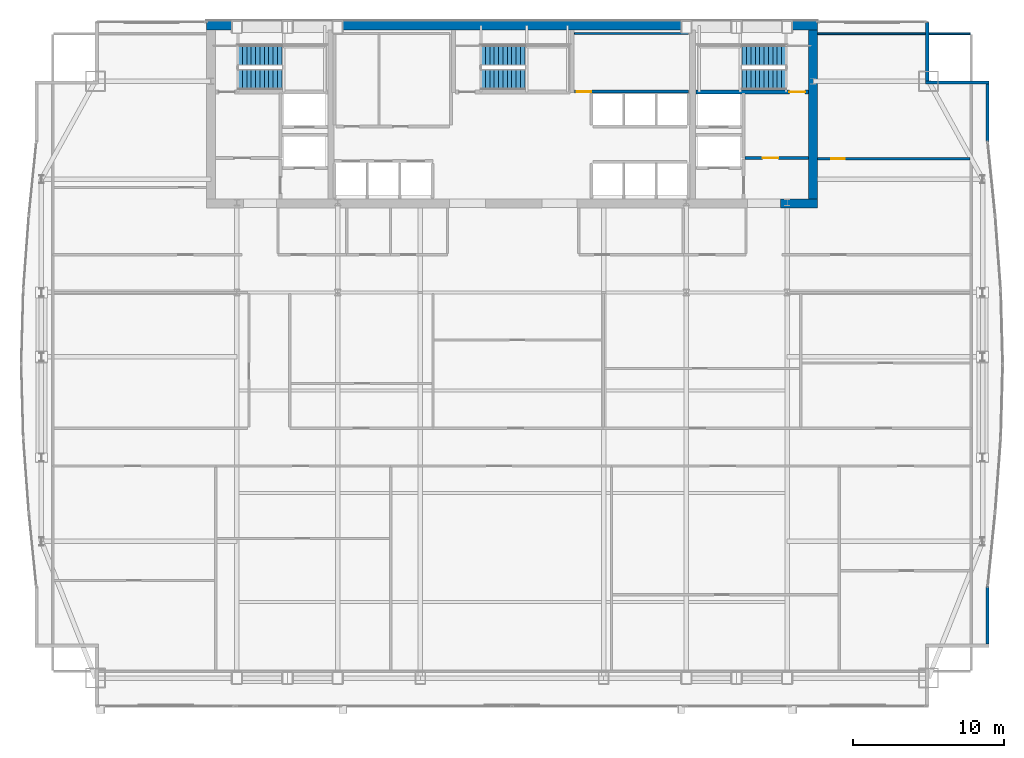
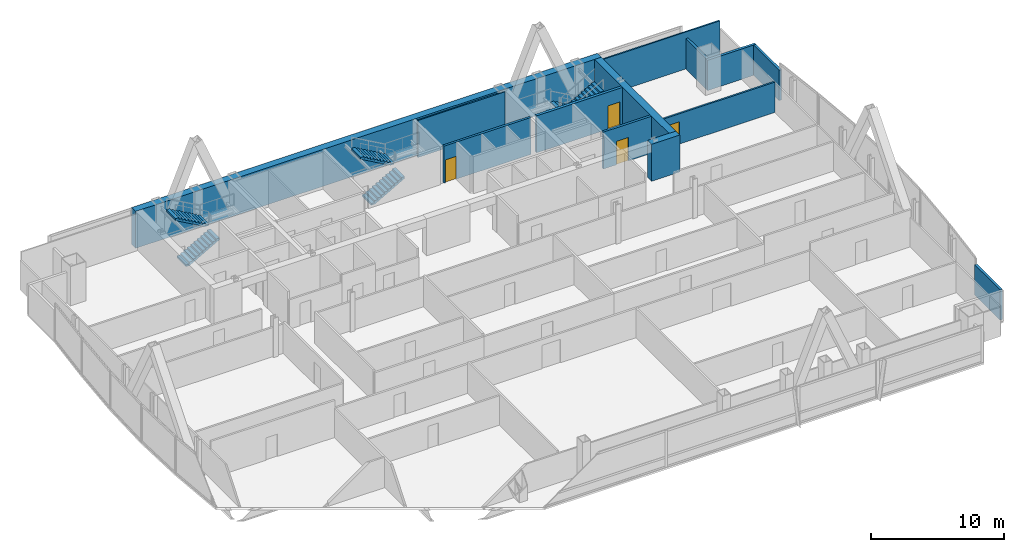
# One storey, part 27 of 29: 13 walls, 6 stair flights, 4 doors, 4 openings, 3 elements without a shape of their own.
"""IFC4 building model written with IfcOpenShell, lengths in metres."""

from ifc_helpers import new_model, si_unit, direction, frame, frame_2d, origin, place, context, subcontext, project, spatial, polyline, rectangle, outline, extrude, material, layer, layer_set, type_object, element, fill, aggregate, save


model = new_model("IFC4")

# Units and contexts
model_context = context("Model", 3, precision=1e-05, world=origin(), true_north=direction((0.0, 1.0)))
body_context = subcontext(model_context, "Body", "Model", "MODEL_VIEW")
ifc_project = project(units=[si_unit("LENGTHUNIT", "METRE"), si_unit("AREAUNIT", "SQUARE_METRE"), si_unit("VOLUMEUNIT", "CUBIC_METRE"), si_unit("PLANEANGLEUNIT", "RADIAN"), si_unit("MASSUNIT", "GRAM", prefix="KILO")], contexts=[model_context])

# Site, building, storey
site_placement = place(None, origin())
site = spatial("IfcSite", under=ifc_project, at=site_placement, CompositionType="ELEMENT")
building_placement = place(site_placement, origin())
building = spatial("IfcBuilding", under=site, at=building_placement, Name="Khoronbel Lancet Exchange", CompositionType="ELEMENT")
storey_placement = place(building_placement, frame((0.0, 0.0, 180.60009765625)))
storey = spatial("IfcBuildingStorey", under=building, at=storey_placement, Name="L45", CompositionType="ELEMENT", Elevation=180.60009765625)

# Walls
ifc_material_1 = material(Name="Concrete C60/75", Category="concrete")
ifc_layer_1 = layer(ifc_material_1, 0.60009765625, Name="Concrete C60/75")
ifc_layer_set_1 = layer_set([ifc_layer_1], Name="Concrete C60/75")
wall_type_1 = type_object("IfcWallType", Name="WL-CW3", PredefinedType="SHEAR", material=ifc_layer_set_1)
wall_1_placement = place(storey_placement, frame((16.199951171875, 53.39990234375, 0.0), z_axis=(0.0, 0.0, 1.0), x_axis=(1.0, 0.0, 0.0)))
element("IfcWall", 1, at=wall_1_placement, inside=storey, type_object=wall_type_1, Name="Level L45 rear core north shear wall", PredefinedType="SHEAR", context=body_context, shape_type="SweptSolid", body=[
    extrude(rectangle(XDim=40.5, YDim=0.60009765625, at=frame_2d((20.25, 0.0))), origin(), (0.0, 0.0, 1.0), 3.39990234375),
])
wall_2_placement = place(storey_placement, frame((56.39990234375, 53.10009765625, 0.0), z_axis=(0.0, 0.0, 1.0), x_axis=(0.0, -1.0, 0.0)))
element("IfcWall", 2, at=wall_2_placement, inside=storey, type_object=wall_type_1, Name="Level L45 rear core east shear wall", PredefinedType="SHEAR", context=body_context, shape_type="SweptSolid", body=[
    extrude(rectangle(XDim=11.2001953125, YDim=0.60009765625, at=frame_2d((5.60009765625, 0.0))), origin(), (0.0, 0.0, 1.0), 3.39990234375),
])
wall_3_placement = place(storey_placement, frame((56.699951171875, 41.60009765625, 0.0), z_axis=(0.0, 0.0, 1.0), x_axis=(-1.0, 0.0, 0.0)))
element("IfcWall", 3, at=wall_3_placement, inside=storey, type_object=wall_type_1, Name="Level L45 rear core south shear wall pier P5", PredefinedType="SHEAR", context=body_context, shape_type="SweptSolid", body=[
    extrude(rectangle(XDim=2.449951171875, YDim=0.60009765625, at=frame_2d((1.22509765625, 0.0))), origin(), (0.0, 0.0, 1.0), 3.39990234375),
])
ifc_material_2 = material(Name="Precast concrete C40/50", Category="concrete")
ifc_layer_2 = layer(ifc_material_2, 0.25, Name="Precast concrete C40/50")
ifc_layer_set_2 = layer_set([ifc_layer_2], Name="Precast concrete C40/50")
wall_type_2 = type_object("IfcWallType", Name="WL-EXT250", PredefinedType="SOLIDWALL", material=ifc_layer_set_2)
wall_4_placement = place(storey_placement, frame((63.9599609375, 53.6298828125, 0.0), z_axis=(0.0, 0.0, 1.0), x_axis=(0.0, -1.0, 0.0)))
element("IfcWall", 4, at=wall_4_placement, inside=storey, type_object=wall_type_2, Name="Level L45 notched-corner limestone pier 14", PredefinedType="SOLIDWALL", context=body_context, shape_type="SweptSolid", body=[
    extrude(rectangle(XDim=3.909912109375, YDim=0.219970703125, at=frame_2d((1.955078125, 0.0))), origin(), (0.0, 0.0, 1.0), 2.789794921875),
])
wall_5_placement = place(storey_placement, frame((63.85009765625, 49.610107421875, 0.0), z_axis=(0.0, 0.0, 1.0), x_axis=(1.0, 0.0, 0.0)))
element("IfcWall", 5, at=wall_5_placement, inside=storey, type_object=wall_type_2, Name="Level L45 notched-corner limestone pier 15", PredefinedType="SOLIDWALL", context=body_context, shape_type="SweptSolid", body=[
    extrude(rectangle(XDim=4.219970703125, YDim=0.219970703125, at=frame_2d((2.10986328125, 0.0))), origin(), (0.0, 0.0, 1.0), 2.789794921875),
])
for number, where, z_axis, x_axis, name in (
    (6, (67.9599609375, 49.5, 0.0), (0.0, 0.0, 1.0), (0.0, -1.0, 0.0), "Level L45 notched-corner limestone pier 16"),
    (7, (67.9599609375, 16.224609375, 0.0), (0.0, 0.0, 1.0), (0.0, -1.0, 0.0), "Level L45 notched-corner limestone pier 23"),
):
    element("IfcWall", number, at=place(storey_placement, frame(where, z_axis=z_axis, x_axis=x_axis)), inside=storey, type_object=wall_type_2, Name=name, PredefinedType="SOLIDWALL", context=body_context, shape_type="SweptSolid", body=[
        extrude(rectangle(XDim=3.82470703125, YDim=0.219970703125, at=frame_2d((1.912353515625, 0.0))), origin(), (0.0, 0.0, 1.0), 2.789794921875),
    ])

# Wall, opening, door
ifc_material_3 = material(Name="Acoustic Metal-Stud & Mineral-Wool Gypsum Partition 120 mm", Category="gypsum")
ifc_layer_3 = layer(ifc_material_3, 0.1201171875, Name="Acoustic Metal-Stud & Mineral-Wool Gypsum Partition 120 mm")
ifc_layer_set_3 = layer_set([ifc_layer_3], Name="Acoustic Metal-Stud & Mineral-Wool Gypsum Partition 120 mm")
wall_type_3 = type_object("IfcWallType", Name="WL-PRT120", PredefinedType="PARTITIONING", material=ifc_layer_set_3)
wall_6_placement = place(storey_placement, frame((56.699951171875, 44.56005859375, 0.0), z_axis=(0.0, 0.0, 1.0), x_axis=(1.0, 0.0, 0.0)))
wall_6 = element("IfcWall", 8, at=wall_6_placement, inside=storey, type_object=wall_type_3, Name="Level L45 interior partition PW-NE-H", PredefinedType="PARTITIONING", context=body_context, shape_type="SweptSolid", body=[
    extrude(rectangle(XDim=10.10498046875, YDim=0.14990234375, at=frame_2d((5.052490234375, 0.0))), origin(), (0.0, 0.0, 1.0), 2.789794921875),
])
opening_1_placement = place(wall_6_placement, frame((0.89990234375, 0.0, 0.0)))
opening_1 = element("IfcOpeningElement", 9, at=opening_1_placement, cuts=wall_6, Name="Opening D5", PredefinedType="OPENING", context=body_context, shape_type="SweptSolid", body=[
    extrude(rectangle(XDim=0.89990234375, YDim=2.050048828125, at=frame_2d((0.449951171875, 1.02490234375))), frame((0.0, 0.0849609375, 0.0), z_axis=(0.0, -1.0, 0.0), x_axis=(1.0, 0.0, 0.0)), (0.0, 0.0, 1.0), 0.169921875),
])
ifc_material_4 = material(Name="Acoustic Timber Pantry & Support Door", Category="wood")
door_type_1 = type_object("IfcDoorType", Name="DR-D5", OperationType="NOTDEFINED", PredefinedType="DOOR", material=ifc_material_4)
door_1_placement = place(opening_1_placement, origin())
door_1 = element("IfcDoor", 10, at=door_1_placement, inside=storey, type_object=door_type_1, Name="NE north room door L45-1", OperationType="SINGLE_SWING_LEFT", OverallHeight=2.050048828125, OverallWidth=0.89990234375, PredefinedType="DOOR", context=body_context, shape_type="SweptSolid", body=[
    extrude(rectangle(XDim=0.89990234375, YDim=2.050048828125, at=frame_2d((0.449951171875, 1.02490234375))), frame((0.0, 0.02490234375, 0.0), z_axis=(0.0, -1.0, 0.0), x_axis=(1.0, 0.0, 0.0)), (0.0, 0.0, 1.0), 0.050048828125),
])
fill(opening_1, door_1)

# Walls
wall_7_placement = place(storey_placement, frame((56.699951171875, 52.840087890625, 0.0), z_axis=(0.0, 0.0, 1.0), x_axis=(1.0, 0.0, 0.0)))
element("IfcWall", 11, at=wall_7_placement, inside=storey, type_object=wall_type_3, Name="Level L45 interior partition PW-LIN-NE", PredefinedType="PARTITIONING", context=body_context, shape_type="SweptSolid", body=[
    extrude(rectangle(XDim=10.10498046875, YDim=0.1201171875, at=frame_2d((5.052490234375, 0.0))), origin(), (0.0, 0.0, 1.0), 3.39990234375),
])
ifc_material_5 = material(Name="Fire-Rated Metal-Stud & Mineral-Wool Gypsum Partition 120 mm", Category="gypsum")
ifc_layer_4 = layer(ifc_material_5, 0.1201171875, Name="Fire-Rated Metal-Stud & Mineral-Wool Gypsum Partition 120 mm")
ifc_layer_set_4 = layer_set([ifc_layer_4], Name="Fire-Rated Metal-Stud & Mineral-Wool Gypsum Partition 120 mm")
wall_type_4 = type_object("IfcWallType", Name="WL-PRT120F", PredefinedType="PARTITIONING", material=ifc_layer_set_4)
wall_8_placement = place(storey_placement, frame((40.580078125, 52.860107421875, 0.0), z_axis=(0.0, 0.0, 1.0), x_axis=(1.0, 0.0, 0.0)))
element("IfcWall", 12, at=wall_8_placement, inside=storey, type_object=wall_type_4, Name="Level L45 interior partition CW-SUP-NE-N", PredefinedType="PARTITIONING", context=body_context, shape_type="SweptSolid", body=[
    extrude(rectangle(XDim=7.559814453125, YDim=0.1201171875, at=frame_2d((3.77978515625, 0.0))), origin(), (0.0, 0.0, 1.0), 3.39990234375),
])

# Wall, opening, door
ifc_material_6 = material(Name="Autoclaved Aerated Concrete Blockwork 200 mm", Category="masonry")
ifc_layer_5 = layer(ifc_material_6, 0.199951171875, Name="Autoclaved Aerated Concrete Blockwork 200 mm")
ifc_layer_set_5 = layer_set([ifc_layer_5], Name="Autoclaved Aerated Concrete Blockwork 200 mm")
wall_type_5 = type_object("IfcWallType", Name="WL-PRT200", PredefinedType="PARTITIONING", material=ifc_layer_set_5)
wall_9_placement = place(storey_placement, frame((51.89990234375, 44.60009765625, 0.0), z_axis=(0.0, 0.0, 1.0), x_axis=(1.0, 0.0, 0.0)))
wall_9 = element("IfcWall", 13, at=wall_9_placement, inside=storey, type_object=wall_type_5, Name="Level L45 interior partition CW-FFLE-S", PredefinedType="PARTITIONING", context=body_context, shape_type="SweptSolid", body=[
    extrude(rectangle(XDim=4.2001953125, YDim=0.199951171875, at=frame_2d((2.10009765625, 0.0))), origin(), (0.0, 0.0, 1.0), 3.39990234375),
])
opening_2_placement = place(wall_9_placement, frame((1.14990234375, 0.0, 0.0)))
opening_2 = element("IfcOpeningElement", 14, at=opening_2_placement, cuts=wall_9, Name="Opening FD1", PredefinedType="OPENING", context=body_context, shape_type="SweptSolid", body=[
    extrude(rectangle(XDim=1.050048828125, YDim=2.14990234375, at=frame_2d((0.52490234375, 1.074951171875))), frame((0.0, 0.10986328125, 0.0), z_axis=(0.0, -1.0, 0.0), x_axis=(1.0, 0.0, 0.0)), (0.0, 0.0, 1.0), 0.219970703125),
])
ifc_material_7 = material(Name="Fire-Rated Painted Steel Door Assembly", Category="steel")
door_type_2 = type_object("IfcDoorType", Name="DR-FD1", OperationType="NOTDEFINED", PredefinedType="DOOR", material=ifc_material_7)
door_2_placement = place(opening_2_placement, origin())
door_2 = element("IfcDoor", 15, at=door_2_placement, inside=storey, type_object=door_type_2, Name="East firefighting lobby FD90S door L45-1", OperationType="SINGLE_SWING_RIGHT", OverallHeight=2.14990234375, OverallWidth=1.050048828125, PredefinedType="DOOR", context=body_context, shape_type="SweptSolid", body=[
    extrude(rectangle(XDim=1.050048828125, YDim=2.14990234375, at=frame_2d((0.52490234375, 1.074951171875))), frame((0.0, 0.02490234375, 0.0), z_axis=(0.0, -1.0, 0.0), x_axis=(1.0, 0.0, 0.0)), (0.0, 0.0, 1.0), 0.050048828125),
])
fill(opening_2, door_2)

wall_10_placement = place(storey_placement, frame((40.580078125, 49.0, 0.0), z_axis=(0.0, 0.0, 1.0), x_axis=(1.0, 0.0, 0.0)))
wall_10 = element("IfcWall", 16, at=wall_10_placement, inside=storey, type_object=wall_type_5, Name="Level L45 interior partition CW-SUP-NE-S", PredefinedType="PARTITIONING", context=body_context, shape_type="SweptSolid", body=[
    extrude(rectangle(XDim=7.559814453125, YDim=0.199951171875, at=frame_2d((3.77978515625, 0.0))), origin(), (0.0, 0.0, 1.0), 3.39990234375),
])
opening_3_placement = place(wall_10_placement, frame((0.159912109375, 0.0, 0.0)))
opening_3 = element("IfcOpeningElement", 17, at=opening_3_placement, cuts=wall_10, Name="Opening FD3", PredefinedType="OPENING", context=body_context, shape_type="SweptSolid", body=[
    extrude(rectangle(XDim=0.949951171875, YDim=2.10009765625, at=frame_2d((0.47509765625, 1.050048828125))), frame((0.0, 0.10986328125, 0.0), z_axis=(0.0, -1.0, 0.0), x_axis=(1.0, 0.0, 0.0)), (0.0, 0.0, 1.0), 0.219970703125),
])
ifc_material_8 = material(Name="Fire-Rated Steel Plant & Riser Door Assembly", Category="steel")
door_type_3 = type_object("IfcDoorType", Name="DR-FD3", OperationType="NOTDEFINED", PredefinedType="DOOR", material=ifc_material_8)
door_3_placement = place(opening_3_placement, origin())
door_3 = element("IfcDoor", 18, at=door_3_placement, inside=storey, type_object=door_type_3, Name="Core NE support room door L45-1", OperationType="SINGLE_SWING_RIGHT", OverallHeight=2.10009765625, OverallWidth=0.949951171875, PredefinedType="DOOR", context=body_context, shape_type="SweptSolid", body=[
    extrude(rectangle(XDim=0.949951171875, YDim=2.10009765625, at=frame_2d((0.47509765625, 1.050048828125))), frame((0.0, 0.02490234375, 0.0), z_axis=(0.0, -1.0, 0.0), x_axis=(1.0, 0.0, 0.0)), (0.0, 0.0, 1.0), 0.050048828125),
])
fill(opening_3, door_3)

ifc_layer_6 = layer(ifc_material_1, 0.260009765625, Name="Concrete C60/75")
ifc_layer_set_6 = layer_set([ifc_layer_6], Name="Concrete C60/75")
wall_type_6 = type_object("IfcWallType", Name="WL-SW3", PredefinedType="SHEAR", material=ifc_layer_set_6)
wall_11_placement = place(storey_placement, frame((48.6298828125, 48.97998046875, 0.0), z_axis=(0.0, 0.0, 1.0), x_axis=(1.0, 0.0, 0.0)))
wall_11 = element("IfcWall", 19, at=wall_11_placement, inside=storey, type_object=wall_type_6, Name="Level L45 east stairwell structural south wall", PredefinedType="SHEAR", context=body_context, shape_type="SweptSolid", body=[
    extrude(rectangle(XDim=7.47021484375, YDim=0.239990234375, at=frame_2d((3.735107421875, 0.0))), origin(), (0.0, 0.0, 1.0), 3.39990234375),
])
opening_4_placement = place(wall_11_placement, frame((6.199951171875, 0.0, 0.0)))
opening_4 = element("IfcOpeningElement", 20, at=opening_4_placement, cuts=wall_11, Name="Opening SD1", PredefinedType="OPENING", context=body_context, shape_type="SweptSolid", body=[
    extrude(rectangle(XDim=1.050048828125, YDim=2.14990234375, at=frame_2d((0.52490234375, 1.074951171875))), frame((0.0, 0.1298828125, 0.0), z_axis=(0.0, -1.0, 0.0), x_axis=(1.0, 0.0, 0.0)), (0.0, 0.0, 1.0), 0.260009765625),
])
ifc_material_9 = material(Name="Fire-Rated Steel Stairwell Door Assembly", Category="steel")
door_type_4 = type_object("IfcDoorType", Name="DR-SD1", OperationType="NOTDEFINED", PredefinedType="DOOR", material=ifc_material_9)
door_4_placement = place(opening_4_placement, origin())
door_4 = element("IfcDoor", 21, at=door_4_placement, inside=storey, type_object=door_type_4, Name="Protected exit stair ST2 door L45", OperationType="SINGLE_SWING_RIGHT", OverallHeight=2.14990234375, OverallWidth=1.050048828125, PredefinedType="DOOR", context=body_context, shape_type="SweptSolid", body=[
    extrude(rectangle(XDim=1.050048828125, YDim=2.14990234375, at=frame_2d((0.52490234375, 1.074951171875))), frame((0.0, 0.02490234375, 0.0), z_axis=(0.0, -1.0, 0.0), x_axis=(1.0, 0.0, 0.0)), (0.0, 0.0, 1.0), 0.050048828125),
])
fill(opening_4, door_4)

# Stair, stair flights
ifc_material_10 = material(Name="Concrete C40/50", Category="concrete")
stair_type = type_object("IfcStairType", Name="STR-CORE150", PredefinedType="HALF_TURN_STAIR", material=ifc_material_10)
stair_1_placement = place(storey_placement, origin())
stair_1 = element("IfcStair", 22, at=stair_1_placement, inside=storey, type_object=stair_type, Name="L45 Protected Exit Stair ST1", PredefinedType="HALF_TURN_STAIR")
stair_flight_type = type_object("IfcStairFlightType", Name="STF-150", PredefinedType="STRAIGHT", material=ifc_material_10)
stair_flight_1_placement = place(storey_placement, frame((18.300048828125, 49.81005859375, 0.0), z_axis=(0.0, 0.0, 1.0), x_axis=(1.0, 0.0, 0.0)))
stair_flight_1 = element("IfcStairFlight", 23, at=stair_flight_1_placement, type_object=stair_flight_type, Name="ST1 flight 1", NumberOfRisers=11, NumberOfTreads=10, PredefinedType="STRAIGHT", RiserHeight=0.163636364, TreadLength=0.29, context=body_context, shape_type="SweptSolid", body=[
    extrude(outline(polyline([(0.0, 0.0), (0.0, 0.16357421875), (0.2900390625, 0.16357421875), (0.2900390625, 0.327392578125), (0.580078125, 0.327392578125), (0.580078125, 0.490966796875), (0.8701171875, 0.490966796875), (0.8701171875, 0.654541015625), (1.159912109375, 0.654541015625), (1.159912109375, 0.818115234375), (1.449951171875, 0.818115234375), (1.449951171875, 0.98193359375), (1.739990234375, 0.98193359375), (1.739990234375, 1.1455078125), (2.030029296875, 1.1455078125), (2.030029296875, 1.30908203125), (2.320068359375, 1.30908203125), (2.320068359375, 1.47265625), (2.610107421875, 1.47265625), (2.610107421875, 1.636474609375), (2.89990234375, 1.636474609375), (2.89990234375, 1.800048828125), (2.89990234375, 1.46435546875), (0.304931640625, 0.0), (0.0, 0.0)])), frame((0.0, 0.68994140625, 0.0), z_axis=(0.0, -1.0, 0.0), x_axis=(1.0, 0.0, 0.0)), (0.0, 0.0, 1.0), 1.3798828125),
])
stair_flight_2_placement = place(storey_placement, frame((21.199951171875, 51.409912109375, 1.7998046875), z_axis=(0.0, 0.0, 1.0), x_axis=(-1.0, 0.0, 0.0)))
stair_flight_2 = element("IfcStairFlight", 24, at=stair_flight_2_placement, type_object=stair_flight_type, Name="ST1 flight 2", NumberOfRisers=11, NumberOfTreads=10, PredefinedType="STRAIGHT", RiserHeight=0.163636364, TreadLength=0.29, context=body_context, shape_type="SweptSolid", body=[
    extrude(outline(polyline([(0.0, 0.0), (0.0, 0.16357421875), (0.2900390625, 0.16357421875), (0.2900390625, 0.327392578125), (0.580078125, 0.327392578125), (0.580078125, 0.490966796875), (0.8701171875, 0.490966796875), (0.8701171875, 0.654541015625), (1.159912109375, 0.654541015625), (1.159912109375, 0.818115234375), (1.449951171875, 0.818115234375), (1.449951171875, 0.98193359375), (1.739990234375, 0.98193359375), (1.739990234375, 1.1455078125), (2.030029296875, 1.1455078125), (2.030029296875, 1.30908203125), (2.320068359375, 1.30908203125), (2.320068359375, 1.47265625), (2.610107421875, 1.47265625), (2.610107421875, 1.636474609375), (2.89990234375, 1.636474609375), (2.89990234375, 1.800048828125), (2.89990234375, 1.46435546875), (0.304931640625, 0.0), (0.0, 0.0)])), frame((0.0, 0.68994140625, 0.0), z_axis=(0.0, -1.0, 0.0), x_axis=(1.0, 0.0, 0.0)), (0.0, 0.0, 1.0), 1.3798828125),
])
aggregate(stair_1, [stair_flight_1, stair_flight_2])

stair_2_placement = place(storey_placement, origin())
stair_2 = element("IfcStair", 25, at=stair_2_placement, inside=storey, type_object=stair_type, Name="L45 Protected Exit Stair ST2", PredefinedType="HALF_TURN_STAIR")
stair_flight_3_placement = place(storey_placement, frame((54.60009765625, 51.409912109375, 0.0), z_axis=(0.0, 0.0, 1.0), x_axis=(-1.0, 0.0, 0.0)))
stair_flight_3 = element("IfcStairFlight", 26, at=stair_flight_3_placement, type_object=stair_flight_type, Name="ST2 flight 1", NumberOfRisers=11, NumberOfTreads=10, PredefinedType="STRAIGHT", RiserHeight=0.163636364, TreadLength=0.29, context=body_context, shape_type="SweptSolid", body=[
    extrude(outline(polyline([(0.0, 0.0), (0.0, 0.16357421875), (0.2900390625, 0.16357421875), (0.2900390625, 0.327392578125), (0.580078125, 0.327392578125), (0.580078125, 0.490966796875), (0.8701171875, 0.490966796875), (0.8701171875, 0.654541015625), (1.159912109375, 0.654541015625), (1.159912109375, 0.818115234375), (1.449951171875, 0.818115234375), (1.449951171875, 0.98193359375), (1.739990234375, 0.98193359375), (1.739990234375, 1.1455078125), (2.030029296875, 1.1455078125), (2.030029296875, 1.30908203125), (2.320068359375, 1.30908203125), (2.320068359375, 1.47265625), (2.610107421875, 1.47265625), (2.610107421875, 1.636474609375), (2.89990234375, 1.636474609375), (2.89990234375, 1.800048828125), (2.89990234375, 1.46435546875), (0.304931640625, 0.0), (0.0, 0.0)])), frame((0.0, 0.68994140625, 0.0), z_axis=(0.0, -1.0, 0.0), x_axis=(1.0, 0.0, 0.0)), (0.0, 0.0, 1.0), 1.3798828125),
])
stair_flight_4_placement = place(storey_placement, frame((51.699951171875, 49.81005859375, 1.7998046875), z_axis=(0.0, 0.0, 1.0), x_axis=(1.0, 0.0, 0.0)))
stair_flight_4 = element("IfcStairFlight", 27, at=stair_flight_4_placement, type_object=stair_flight_type, Name="ST2 flight 2", NumberOfRisers=11, NumberOfTreads=10, PredefinedType="STRAIGHT", RiserHeight=0.163636364, TreadLength=0.29, context=body_context, shape_type="SweptSolid", body=[
    extrude(outline(polyline([(0.0, 0.0), (0.0, 0.16357421875), (0.2900390625, 0.16357421875), (0.2900390625, 0.327392578125), (0.580078125, 0.327392578125), (0.580078125, 0.490966796875), (0.8701171875, 0.490966796875), (0.8701171875, 0.654541015625), (1.159912109375, 0.654541015625), (1.159912109375, 0.818115234375), (1.449951171875, 0.818115234375), (1.449951171875, 0.98193359375), (1.739990234375, 0.98193359375), (1.739990234375, 1.1455078125), (2.030029296875, 1.1455078125), (2.030029296875, 1.30908203125), (2.320068359375, 1.30908203125), (2.320068359375, 1.47265625), (2.610107421875, 1.47265625), (2.610107421875, 1.636474609375), (2.89990234375, 1.636474609375), (2.89990234375, 1.800048828125), (2.89990234375, 1.46435546875), (0.304931640625, 0.0), (0.0, 0.0)])), frame((0.0, 0.68994140625, 0.0), z_axis=(0.0, -1.0, 0.0), x_axis=(1.0, 0.0, 0.0)), (0.0, 0.0, 1.0), 1.3798828125),
])
aggregate(stair_2, [stair_flight_3, stair_flight_4])

stair_3_placement = place(storey_placement, origin())
stair_3 = element("IfcStair", 28, at=stair_3_placement, inside=storey, type_object=stair_type, Name="L45 Protected Exit Stair ST3", PredefinedType="HALF_TURN_STAIR")
stair_flight_5_placement = place(storey_placement, frame((34.39990234375, 49.81005859375, 0.0), z_axis=(0.0, 0.0, 1.0), x_axis=(1.0, 0.0, 0.0)))
stair_flight_5 = element("IfcStairFlight", 29, at=stair_flight_5_placement, type_object=stair_flight_type, Name="ST3 flight 1", NumberOfRisers=11, NumberOfTreads=10, PredefinedType="STRAIGHT", RiserHeight=0.163636364, TreadLength=0.29, context=body_context, shape_type="SweptSolid", body=[
    extrude(outline(polyline([(0.0, 0.0), (0.0, 0.16357421875), (0.2900390625, 0.16357421875), (0.2900390625, 0.327392578125), (0.580078125, 0.327392578125), (0.580078125, 0.490966796875), (0.8701171875, 0.490966796875), (0.8701171875, 0.654541015625), (1.159912109375, 0.654541015625), (1.159912109375, 0.818115234375), (1.449951171875, 0.818115234375), (1.449951171875, 0.98193359375), (1.739990234375, 0.98193359375), (1.739990234375, 1.1455078125), (2.030029296875, 1.1455078125), (2.030029296875, 1.30908203125), (2.320068359375, 1.30908203125), (2.320068359375, 1.47265625), (2.610107421875, 1.47265625), (2.610107421875, 1.636474609375), (2.89990234375, 1.636474609375), (2.89990234375, 1.800048828125), (2.89990234375, 1.46435546875), (0.304931640625, 0.0), (0.0, 0.0)])), frame((0.0, 0.68994140625, 0.0), z_axis=(0.0, -1.0, 0.0), x_axis=(1.0, 0.0, 0.0)), (0.0, 0.0, 1.0), 1.3798828125),
])
stair_flight_6_placement = place(storey_placement, frame((37.300048828125, 51.409912109375, 1.7998046875), z_axis=(0.0, 0.0, 1.0), x_axis=(-1.0, 0.0, 0.0)))
stair_flight_6 = element("IfcStairFlight", 30, at=stair_flight_6_placement, type_object=stair_flight_type, Name="ST3 flight 2", NumberOfRisers=11, NumberOfTreads=10, PredefinedType="STRAIGHT", RiserHeight=0.163636364, TreadLength=0.29, context=body_context, shape_type="SweptSolid", body=[
    extrude(outline(polyline([(0.0, 0.0), (0.0, 0.16357421875), (0.2900390625, 0.16357421875), (0.2900390625, 0.327392578125), (0.580078125, 0.327392578125), (0.580078125, 0.490966796875), (0.8701171875, 0.490966796875), (0.8701171875, 0.654541015625), (1.159912109375, 0.654541015625), (1.159912109375, 0.818115234375), (1.449951171875, 0.818115234375), (1.449951171875, 0.98193359375), (1.739990234375, 0.98193359375), (1.739990234375, 1.1455078125), (2.030029296875, 1.1455078125), (2.030029296875, 1.30908203125), (2.320068359375, 1.30908203125), (2.320068359375, 1.47265625), (2.610107421875, 1.47265625), (2.610107421875, 1.636474609375), (2.89990234375, 1.636474609375), (2.89990234375, 1.800048828125), (2.89990234375, 1.46435546875), (0.304931640625, 0.0), (0.0, 0.0)])), frame((0.0, 0.68994140625, 0.0), z_axis=(0.0, -1.0, 0.0), x_axis=(1.0, 0.0, 0.0)), (0.0, 0.0, 1.0), 1.3798828125),
])
aggregate(stair_3, [stair_flight_5, stair_flight_6])

save(model, "model.ifc")
